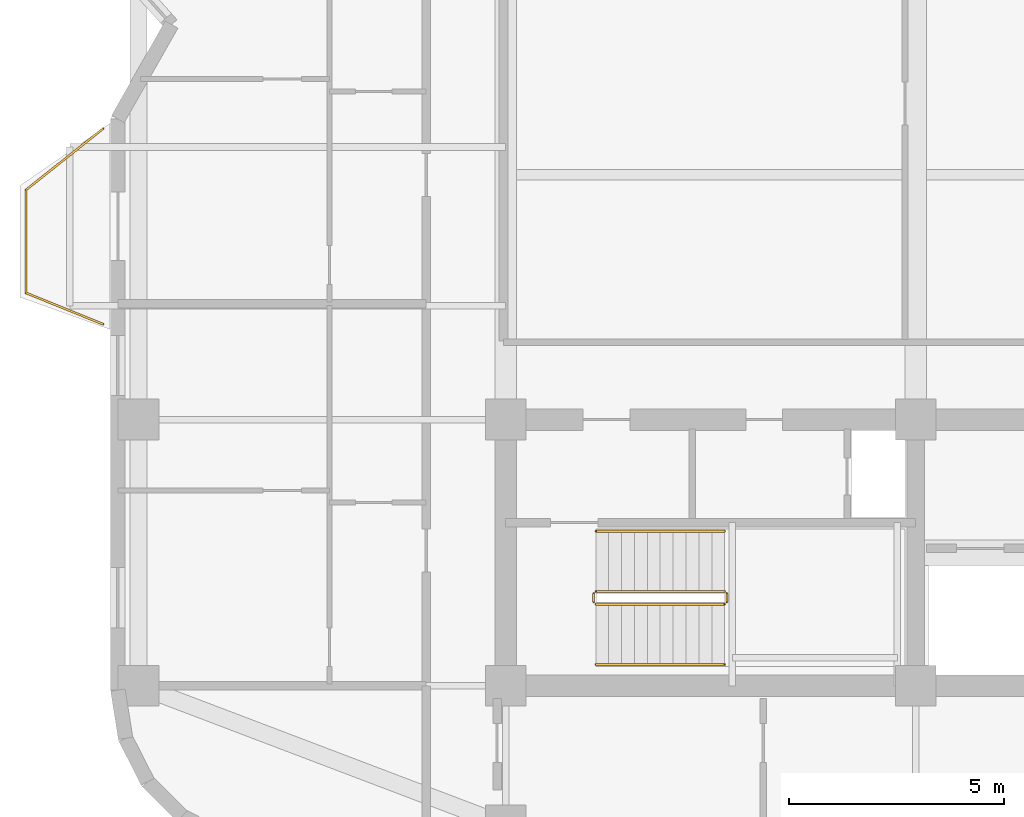
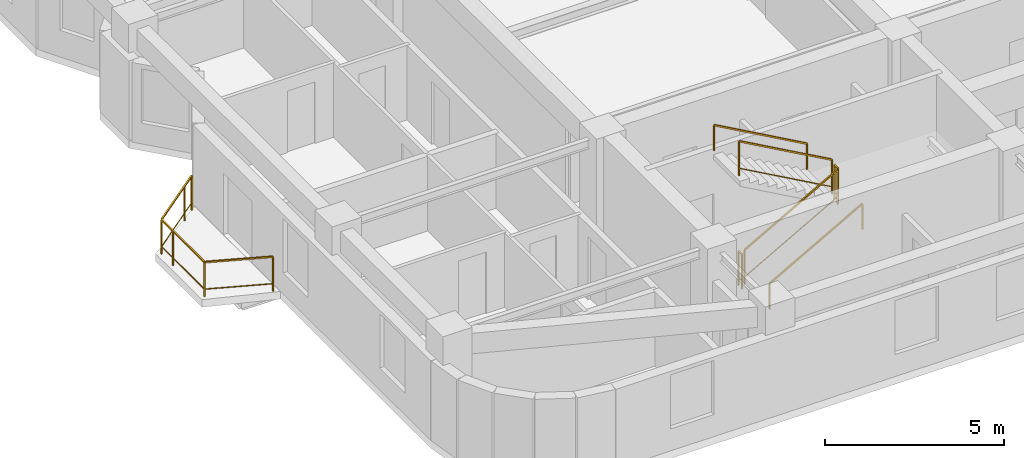
# One storey, part 8 of 9: 7 railings.
"""IFC4 building model written with IfcOpenShell, lengths in metres."""

from ifc_helpers import new_model, si_unit, direction, frame, origin, origin_2d, place, context, subcontext, project, spatial, rectangle, extrude, material, type_object, element, save


model = new_model("IFC4")

# Units and contexts
model_context = context("Model", 3, precision=1e-05, world=origin(), true_north=direction((0.0, 1.0)))
body_context = subcontext(model_context, "Body", "Model", "MODEL_VIEW")
ifc_project = project(units=[si_unit("LENGTHUNIT", "METRE"), si_unit("AREAUNIT", "SQUARE_METRE"), si_unit("VOLUMEUNIT", "CUBIC_METRE"), si_unit("PLANEANGLEUNIT", "RADIAN"), si_unit("MASSUNIT", "GRAM", prefix="KILO")], contexts=[model_context])

# Site, building, storey
site_placement = place(None, origin())
site = spatial("IfcSite", under=ifc_project, at=site_placement, CompositionType="ELEMENT")
building_placement = place(site_placement, origin())
building = spatial("IfcBuilding", under=site, at=building_placement, Name="Svetorya Sky Lyceum", CompositionType="ELEMENT")
storey_placement = place(building_placement, frame((0.0, 0.0, 170.0)))
storey = spatial("IfcBuildingStorey", under=building, at=storey_placement, Name="L42", CompositionType="ELEMENT", Elevation=170.0)

# Railings
ifc_material_1 = material(Name="Laminated safety glass and stainless AISI 316", Category="glass")
railing_type_1 = type_object("IfcRailingType", Name="RL-BAL-1200", PredefinedType="BALUSTRADE", material=ifc_material_1)
railing_1_placement = place(storey_placement, frame((16.22998046875, 19.02001953125, 0.0)))
element("IfcRailing", 1, at=railing_1_placement, inside=storey, type_object=railing_type_1, Name="L42 Balcony Balustrade BAL-W1", PredefinedType="BALUSTRADE", context=body_context, shape_type="SweptSolid", body=[
    extrude(rectangle(XDim=0.048095703125, YDim=0.048095703125, at=origin_2d()), frame((0.0, 0.0, 1.17578125), z_axis=(-0.926697865975, 0.375807218129, 0.0), x_axis=(-0.375807218129, -0.926697865975, 0.0)), (0.0, 0.0, 1.0), 1.9423828125),
    extrude(rectangle(XDim=0.02392578125, YDim=0.02392578125, at=origin_2d()), frame((0.0, 0.0, 0.25), z_axis=(-0.926697865975, 0.375807218129, 0.0), x_axis=(-0.375807218129, -0.926697865975, 0.0)), (0.0, 0.0, 1.0), 1.9423828125),
    extrude(rectangle(XDim=0.048095703125, YDim=0.048095703125, at=origin_2d()), frame((-1.800048828125, 0.72998046875, 1.17578125), z_axis=(0.0, 1.0, 0.0), x_axis=(-1.0, 0.0, 0.0)), (0.0, 0.0, 1.0), 2.39990234375),
    extrude(rectangle(XDim=0.02392578125, YDim=0.02392578125, at=origin_2d()), frame((-1.800048828125, 0.72998046875, 0.25), z_axis=(0.0, 1.0, 0.0), x_axis=(-1.0, 0.0, 0.0)), (0.0, 0.0, 1.0), 2.39990234375),
    extrude(rectangle(XDim=0.048095703125, YDim=0.048095703125, at=origin_2d()), frame((-1.800048828125, 3.1298828125, 1.17578125), z_axis=(0.782957196596, 0.622075580857, 0.0), x_axis=(-0.622075580857, 0.782957196596, 0.0)), (0.0, 0.0, 1.0), 2.299072265625),
    extrude(rectangle(XDim=0.02392578125, YDim=0.02392578125, at=origin_2d()), frame((-1.800048828125, 3.1298828125, 0.25), z_axis=(0.782957196596, 0.622075580857, 0.0), x_axis=(-0.622075580857, 0.782957196596, 0.0)), (0.0, 0.0, 1.0), 2.299072265625),
    extrude(rectangle(XDim=0.0419921875, YDim=0.0419921875, at=origin_2d()), origin(), (0.0, 0.0, 1.0), 1.15185546875),
    extrude(rectangle(XDim=0.0419921875, YDim=0.0419921875, at=origin_2d()), frame((-1.800048828125, 0.72998046875, 0.0)), (0.0, 0.0, 1.0), 1.15185546875),
    extrude(rectangle(XDim=0.0419921875, YDim=0.0419921875, at=origin_2d()), frame((-1.800048828125, 2.47998046875, 0.0)), (0.0, 0.0, 1.0), 1.15185546875),
    extrude(rectangle(XDim=0.0419921875, YDim=0.0419921875, at=origin_2d()), frame((-1.800048828125, 3.1298828125, 0.0)), (0.0, 0.0, 1.0), 1.15185546875),
    extrude(rectangle(XDim=0.0419921875, YDim=0.0419921875, at=origin_2d()), frame((-0.429931640625, 4.218505859375, 0.0)), (0.0, 0.0, 1.0), 1.15185546875),
    extrude(rectangle(XDim=0.0419921875, YDim=0.0419921875, at=origin_2d()), frame((0.0, 4.56005859375, 0.0)), (0.0, 0.0, 1.0), 1.15185546875),
])
ifc_material_2 = material(Name="Painted galvanized stair well guard")
railing_type_2 = type_object("IfcRailingType", Name="RL-STR-GUARD-1200", PredefinedType="GUARDRAIL", material=ifc_material_2)
railing_2_placement = place(storey_placement, frame((27.699951171875, 12.5, 0.168212890625)))
element("IfcRailing", 2, at=railing_2_placement, inside=storey, type_object=railing_type_2, Name="L42 ST-S stair guard 1", PredefinedType="GUARDRAIL", context=body_context, shape_type="SweptSolid", body=[
    extrude(rectangle(XDim=0.048095703125, YDim=0.048095703125, at=origin_2d()), frame((0.0, 0.0, 1.17578125), z_axis=(0.872272294576, 0.0, 0.489020494575), x_axis=(0.0, 1.0, 0.0)), (0.0, 0.0, 1.0), 3.439208984375),
    extrude(rectangle(XDim=0.02392578125, YDim=0.02392578125, at=origin_2d()), frame((0.0, 0.0, 0.25), z_axis=(0.872272294576, 0.0, 0.489020494575), x_axis=(0.0, 1.0, 0.0)), (0.0, 0.0, 1.0), 3.439208984375),
    extrude(rectangle(XDim=0.0419921875, YDim=0.0419921875, at=origin_2d()), origin(), (0.0, 0.0, 1.0), 1.15185546875),
    extrude(rectangle(XDim=0.0419921875, YDim=0.0419921875, at=origin_2d()), frame((3.0, 0.0, 1.681884765625)), (0.0, 0.0, 1.0), 1.15185546875),
])
railing_3_placement = place(storey_placement, frame((30.75, 12.550048828125, 1.85009765625)))
element("IfcRailing", 3, at=railing_3_placement, inside=storey, type_object=railing_type_2, Name="L42 ST-S stair guard 2", PredefinedType="GUARDRAIL", context=body_context, shape_type="SweptSolid", body=[
    extrude(rectangle(XDim=0.048095703125, YDim=0.048095703125, at=origin_2d()), frame((0.0, 0.0, 1.17578125), z_axis=(0.0, 1.0, 0.0), x_axis=(-1.0, 0.0, 0.0)), (0.0, 0.0, 1.0), 0.199951171875),
    extrude(rectangle(XDim=0.02392578125, YDim=0.02392578125, at=origin_2d()), frame((0.0, 0.0, 0.25), z_axis=(0.0, 1.0, 0.0), x_axis=(-1.0, 0.0, 0.0)), (0.0, 0.0, 1.0), 0.199951171875),
    extrude(rectangle(XDim=0.0419921875, YDim=0.0419921875, at=origin_2d()), origin(), (0.0, 0.0, 1.0), 1.15185546875),
    extrude(rectangle(XDim=0.0419921875, YDim=0.0419921875, at=origin_2d()), frame((0.0, 0.199951171875, 0.0)), (0.0, 0.0, 1.0), 1.15185546875),
])
railing_4_placement = place(storey_placement, frame((30.699951171875, 12.800048828125, 2.01806640625)))
element("IfcRailing", 4, at=railing_4_placement, inside=storey, type_object=railing_type_2, Name="L42 ST-S stair guard 3", PredefinedType="GUARDRAIL", context=body_context, shape_type="SweptSolid", body=[
    extrude(rectangle(XDim=0.048095703125, YDim=0.048095703125, at=origin_2d()), frame((0.0, 0.0, 1.17578125), z_axis=(-0.872272294576, 0.0, 0.489020494575), x_axis=(0.0, -1.0, 0.0)), (0.0, 0.0, 1.0), 3.439208984375),
    extrude(rectangle(XDim=0.02392578125, YDim=0.02392578125, at=origin_2d()), frame((0.0, 0.0, 0.25), z_axis=(-0.872272294576, 0.0, 0.489020494575), x_axis=(0.0, -1.0, 0.0)), (0.0, 0.0, 1.0), 3.439208984375),
    extrude(rectangle(XDim=0.0419921875, YDim=0.0419921875, at=origin_2d()), origin(), (0.0, 0.0, 1.0), 1.15185546875),
    extrude(rectangle(XDim=0.0419921875, YDim=0.0419921875, at=origin_2d()), frame((-3.0, 0.0, 1.681884765625)), (0.0, 0.0, 1.0), 1.15185546875),
])
railing_5_placement = place(storey_placement, frame((27.64990234375, 12.550048828125, 0.0)))
element("IfcRailing", 5, at=railing_5_placement, inside=storey, type_object=railing_type_2, Name="L42 ST-S stair guard 4", PredefinedType="GUARDRAIL", context=body_context, shape_type="SweptSolid", body=[
    extrude(rectangle(XDim=0.048095703125, YDim=0.048095703125, at=origin_2d()), frame((0.0, 0.0, 1.17578125), z_axis=(0.0, 1.0, 0.0), x_axis=(-1.0, 0.0, 0.0)), (0.0, 0.0, 1.0), 0.199951171875),
    extrude(rectangle(XDim=0.02392578125, YDim=0.02392578125, at=origin_2d()), frame((0.0, 0.0, 0.25), z_axis=(0.0, 1.0, 0.0), x_axis=(-1.0, 0.0, 0.0)), (0.0, 0.0, 1.0), 0.199951171875),
    extrude(rectangle(XDim=0.0419921875, YDim=0.0419921875, at=origin_2d()), origin(), (0.0, 0.0, 1.0), 1.15185546875),
    extrude(rectangle(XDim=0.0419921875, YDim=0.0419921875, at=origin_2d()), frame((0.0, 0.199951171875, 0.0)), (0.0, 0.0, 1.0), 1.15185546875),
])
ifc_material_3 = material(Name="Brushed stainless AISI 304 stair handrail")
railing_type_3 = type_object("IfcRailingType", Name="RL-STR-HAND-920", PredefinedType="HANDRAIL", material=ifc_material_3)
railing_6_placement = place(storey_placement, frame((27.699951171875, 11.10009765625, 0.168212890625)))
element("IfcRailing", 6, at=railing_6_placement, inside=storey, type_object=railing_type_3, Name="L42 ST-S stair handrail 1", PredefinedType="HANDRAIL", context=body_context, shape_type="SweptSolid", body=[
    extrude(rectangle(XDim=0.048095703125, YDim=0.048095703125, at=origin_2d()), frame((0.0, 0.0, 0.8759765625), z_axis=(0.872272294576, 0.0, 0.489020494575), x_axis=(0.0, 1.0, 0.0)), (0.0, 0.0, 1.0), 3.439208984375),
    extrude(rectangle(XDim=0.0419921875, YDim=0.0419921875, at=origin_2d()), origin(), (0.0, 0.0, 1.0), 0.851806640625),
    extrude(rectangle(XDim=0.0419921875, YDim=0.0419921875, at=origin_2d()), frame((3.0, 0.0, 1.681884765625)), (0.0, 0.0, 1.0), 0.851806640625),
])
railing_7_placement = place(storey_placement, frame((30.699951171875, 14.199951171875, 2.01806640625)))
element("IfcRailing", 7, at=railing_7_placement, inside=storey, type_object=railing_type_3, Name="L42 ST-S stair handrail 2", PredefinedType="HANDRAIL", context=body_context, shape_type="SweptSolid", body=[
    extrude(rectangle(XDim=0.048095703125, YDim=0.048095703125, at=origin_2d()), frame((0.0, 0.0, 0.8759765625), z_axis=(-0.872272294576, 0.0, 0.489020494575), x_axis=(0.0, -1.0, 0.0)), (0.0, 0.0, 1.0), 3.439208984375),
    extrude(rectangle(XDim=0.0419921875, YDim=0.0419921875, at=origin_2d()), origin(), (0.0, 0.0, 1.0), 0.851806640625),
    extrude(rectangle(XDim=0.0419921875, YDim=0.0419921875, at=origin_2d()), frame((-3.0, 0.0, 1.681884765625)), (0.0, 0.0, 1.0), 0.851806640625),
])

save(model, "model.ifc")
